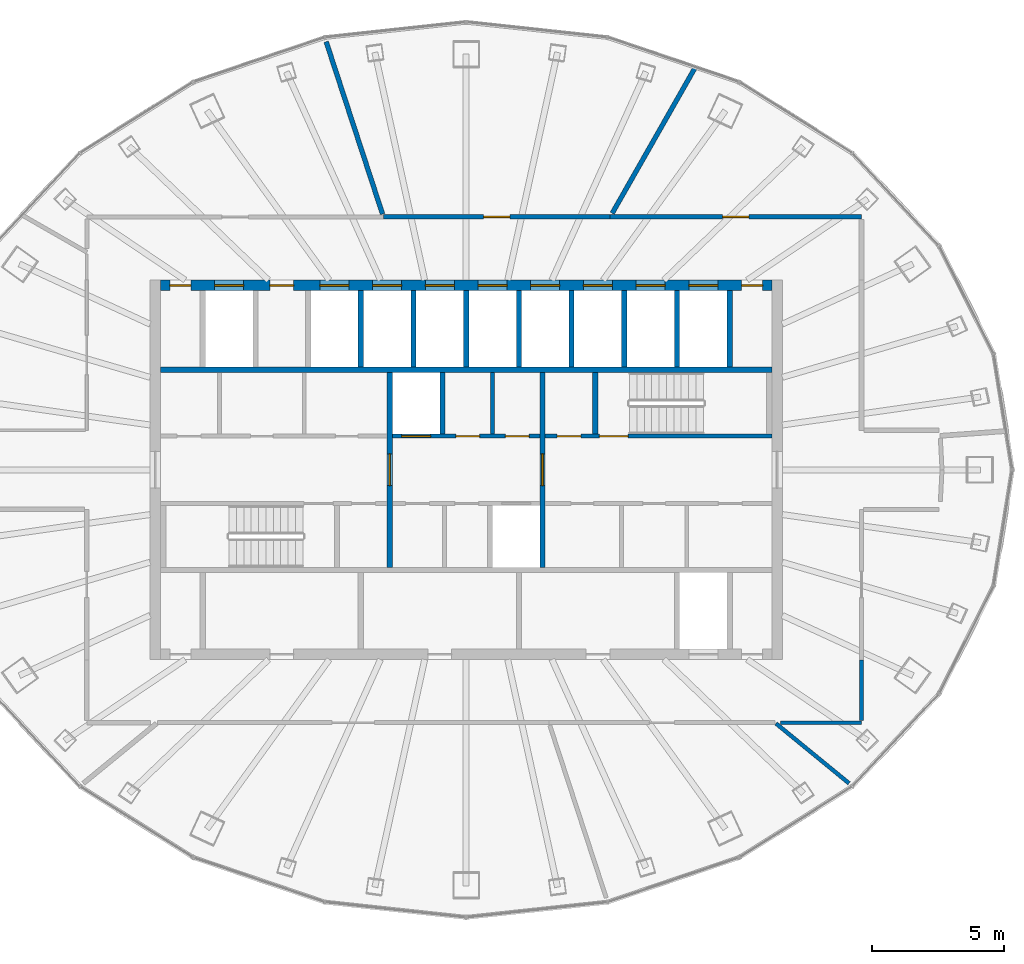
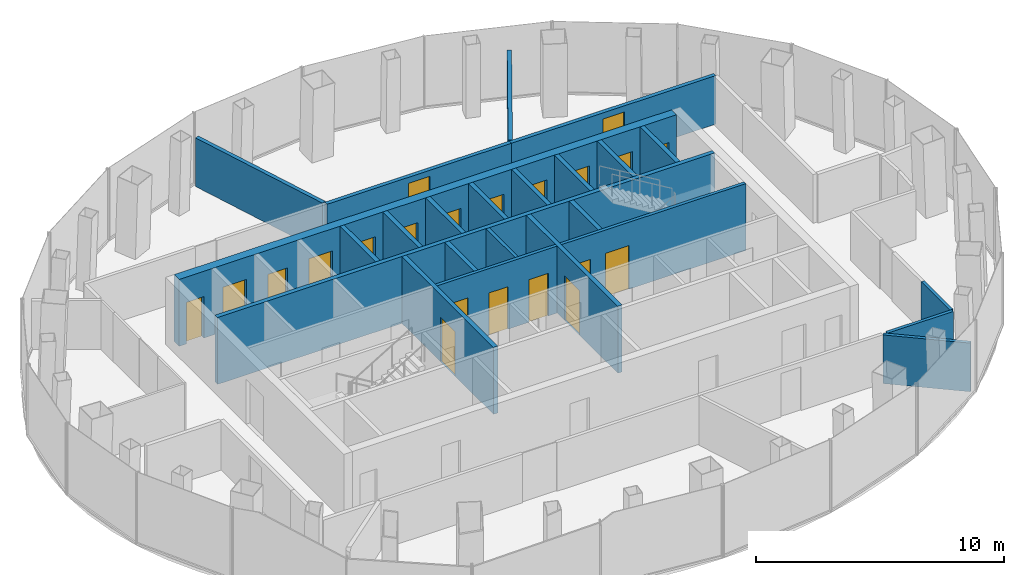
# One storey, part 9 of 11: 24 walls, 21 doors, 21 openings.
"""IFC4 building model written with IfcOpenShell, lengths in metres."""

from ifc_helpers import new_model, si_unit, direction, frame, frame_2d, origin, place, context, subcontext, project, spatial, rectangle, extrude, material, layer, layer_set, type_object, element, fill, save


model = new_model("IFC4")

# Units and contexts
model_context = context("Model", 3, precision=1e-05, world=origin(), true_north=direction((0.0, 1.0)))
body_context = subcontext(model_context, "Body", "Model", "MODEL_VIEW")
ifc_project = project(units=[si_unit("LENGTHUNIT", "METRE"), si_unit("AREAUNIT", "SQUARE_METRE"), si_unit("VOLUMEUNIT", "CUBIC_METRE"), si_unit("PLANEANGLEUNIT", "RADIAN"), si_unit("MASSUNIT", "GRAM", prefix="KILO")], contexts=[model_context])

# Site, building, storey
site_placement = place(None, origin())
site = spatial("IfcSite", under=ifc_project, at=site_placement, CompositionType="ELEMENT")
building_placement = place(site_placement, origin())
building = spatial("IfcBuilding", under=site, at=building_placement, Name="Siaravel Broadcast Tower", CompositionType="ELEMENT")
storey_placement = place(building_placement, frame((0.0, 0.0, 257.800048828125)))
storey = spatial("IfcBuildingStorey", under=building, at=storey_placement, Name="L63", CompositionType="ELEMENT", Elevation=257.800048828125)

# Wall
ifc_material_1 = material(Name="Concrete blockwork", Category="masonry")
ifc_layer_1 = layer(ifc_material_1, 0.14990234375)
ifc_layer_set_1 = layer_set([ifc_layer_1], Name="Concrete blockwork")
wall_type_1 = type_object("IfcWallType", Name="Core partition 150", PredefinedType="PARTITIONING", material=ifc_layer_set_1)
wall_1_placement = place(storey_placement, frame((1.0, 1.35009765625, 0.0), z_axis=(0.0, 0.0, 1.0), x_axis=(0.0, 1.0, 0.0)))
element("IfcWall", 1, at=wall_1_placement, inside=storey, type_object=wall_type_1, Name="L63 core partition PNM0", PredefinedType="PARTITIONING", context=body_context, shape_type="SweptSolid", body=[
    extrude(rectangle(XDim=2.349853515625, YDim=0.14990234375, at=frame_2d((1.1748046875, 0.0))), origin(), (0.0, 0.0, 1.0), 3.300048828125),
])

# Wall, openings, doors
ifc_material_2 = material(Name="Concrete C60/75", Category="concrete")
ifc_layer_2 = layer(ifc_material_2, 0.39990234375)
ifc_layer_set_2 = layer_set([ifc_layer_2], Name="Concrete C60/75")
wall_type_2 = type_object("IfcWallType", Name="Core wall 400", PredefinedType="SHEAR", material=ifc_layer_set_2)
wall_2_placement = place(storey_placement, frame((-11.60009765625, 7.0, 0.0), z_axis=(0.0, 0.0, 1.0), x_axis=(1.0, 0.0, 0.0)))
wall_2 = element("IfcWall", 2, at=wall_2_placement, inside=storey, type_object=wall_type_2, Name="L63 core wall ON", PredefinedType="SHEAR", context=body_context, shape_type="SweptSolid", body=[
    extrude(rectangle(XDim=23.2001953125, YDim=0.39990234375, at=frame_2d((11.60009765625, 0.0))), origin(), (0.0, 0.0, 1.0), 3.300048828125),
])
opening_1_placement = place(wall_2_placement, frame((2.050048828125, 0.0, 0.0)))
opening_1 = element("IfcOpeningElement", 3, at=opening_1_placement, cuts=wall_2, Name="Opening LD-SV2-L63", PredefinedType="OPENING", context=body_context, shape_type="SweptSolid", body=[
    extrude(rectangle(XDim=1.10009765625, YDim=2.199951171875, at=frame_2d((0.550048828125, 1.10009765625))), frame((0.0, 0.2099609375, 0.0), z_axis=(0.0, -1.0, 0.0), x_axis=(1.0, 0.0, 0.0)), (0.0, 0.0, 1.0), 0.419921875),
])
opening_2_placement = place(wall_2_placement, frame((6.050048828125, 0.0, 0.0)))
opening_2 = element("IfcOpeningElement", 4, at=opening_2_placement, cuts=wall_2, Name="Opening LD-HP1-L63", PredefinedType="OPENING", context=body_context, shape_type="SweptSolid", body=[
    extrude(rectangle(XDim=1.10009765625, YDim=2.199951171875, at=frame_2d((0.550048828125, 1.10009765625))), frame((0.0, 0.2099609375, 0.0), z_axis=(0.0, -1.0, 0.0), x_axis=(1.0, 0.0, 0.0)), (0.0, 0.0, 1.0), 0.419921875),
])
opening_3_placement = place(wall_2_placement, frame((8.050048828125, 0.0, 0.0)))
opening_3 = element("IfcOpeningElement", 5, at=opening_3_placement, cuts=wall_2, Name="Opening LD-HP2-L63", PredefinedType="OPENING", context=body_context, shape_type="SweptSolid", body=[
    extrude(rectangle(XDim=1.10009765625, YDim=2.199951171875, at=frame_2d((0.550048828125, 1.10009765625))), frame((0.0, 0.2099609375, 0.0), z_axis=(0.0, -1.0, 0.0), x_axis=(1.0, 0.0, 0.0)), (0.0, 0.0, 1.0), 0.419921875),
])
opening_4_placement = place(wall_2_placement, frame((10.050048828125, 0.0, 0.0)))
opening_4 = element("IfcOpeningElement", 6, at=opening_4_placement, cuts=wall_2, Name="Opening LD-HP3-L63", PredefinedType="OPENING", context=body_context, shape_type="SweptSolid", body=[
    extrude(rectangle(XDim=1.10009765625, YDim=2.199951171875, at=frame_2d((0.550048828125, 1.10009765625))), frame((0.0, 0.2099609375, 0.0), z_axis=(0.0, -1.0, 0.0), x_axis=(1.0, 0.0, 0.0)), (0.0, 0.0, 1.0), 0.419921875),
])
opening_5_placement = place(wall_2_placement, frame((12.050048828125, 0.0, 0.0)))
opening_5 = element("IfcOpeningElement", 7, at=opening_5_placement, cuts=wall_2, Name="Opening LD-HP4-L63", PredefinedType="OPENING", context=body_context, shape_type="SweptSolid", body=[
    extrude(rectangle(XDim=1.10009765625, YDim=2.199951171875, at=frame_2d((0.550048828125, 1.10009765625))), frame((0.0, 0.2099609375, 0.0), z_axis=(0.0, -1.0, 0.0), x_axis=(1.0, 0.0, 0.0)), (0.0, 0.0, 1.0), 0.419921875),
])
opening_6_placement = place(wall_2_placement, frame((14.050048828125, 0.0, 0.0)))
opening_6 = element("IfcOpeningElement", 8, at=opening_6_placement, cuts=wall_2, Name="Opening LD-HP5-L63", PredefinedType="OPENING", context=body_context, shape_type="SweptSolid", body=[
    extrude(rectangle(XDim=1.10009765625, YDim=2.199951171875, at=frame_2d((0.550048828125, 1.10009765625))), frame((0.0, 0.2099609375, 0.0), z_axis=(0.0, -1.0, 0.0), x_axis=(1.0, 0.0, 0.0)), (0.0, 0.0, 1.0), 0.419921875),
])
opening_7_placement = place(wall_2_placement, frame((16.050048828125, 0.0, 0.0)))
opening_7 = element("IfcOpeningElement", 9, at=opening_7_placement, cuts=wall_2, Name="Opening LD-HP6-L63", PredefinedType="OPENING", context=body_context, shape_type="SweptSolid", body=[
    extrude(rectangle(XDim=1.10009765625, YDim=2.199951171875, at=frame_2d((0.550048828125, 1.10009765625))), frame((0.0, 0.2099609375, 0.0), z_axis=(0.0, -1.0, 0.0), x_axis=(1.0, 0.0, 0.0)), (0.0, 0.0, 1.0), 0.419921875),
])
opening_8_placement = place(wall_2_placement, frame((18.050048828125, 0.0, 0.0)))
opening_8 = element("IfcOpeningElement", 10, at=opening_8_placement, cuts=wall_2, Name="Opening LD-HP7-L63", PredefinedType="OPENING", context=body_context, shape_type="SweptSolid", body=[
    extrude(rectangle(XDim=1.10009765625, YDim=2.199951171875, at=frame_2d((0.550048828125, 1.10009765625))), frame((0.0, 0.2099609375, 0.0), z_axis=(0.0, -1.0, 0.0), x_axis=(1.0, 0.0, 0.0)), (0.0, 0.0, 1.0), 0.419921875),
])
opening_9_placement = place(wall_2_placement, frame((20.050048828125, 0.0, 0.0)))
opening_9 = element("IfcOpeningElement", 11, at=opening_9_placement, cuts=wall_2, Name="Opening LD-HP8-L63", PredefinedType="OPENING", context=body_context, shape_type="SweptSolid", body=[
    extrude(rectangle(XDim=1.10009765625, YDim=2.199951171875, at=frame_2d((0.550048828125, 1.10009765625))), frame((0.0, 0.2099609375, 0.0), z_axis=(0.0, -1.0, 0.0), x_axis=(1.0, 0.0, 0.0)), (0.0, 0.0, 1.0), 0.419921875),
])
opening_10_placement = place(wall_2_placement, frame((4.14990234375, 0.0, 0.0)))
opening_10 = element("IfcOpeningElement", 12, at=opening_10_placement, cuts=wall_2, Name="Opening L63-DFN1", PredefinedType="OPENING", context=body_context, shape_type="SweptSolid", body=[
    extrude(rectangle(XDim=0.89990234375, YDim=2.10009765625, at=frame_2d((0.449951171875, 1.050048828125))), frame((0.0, 0.2099609375, 0.0), z_axis=(0.0, -1.0, 0.0), x_axis=(1.0, 0.0, 0.0)), (0.0, 0.0, 1.0), 0.419921875),
])
opening_11_placement = place(wall_2_placement, frame((0.35009765625, 0.0, 0.0)))
opening_11 = element("IfcOpeningElement", 13, at=opening_11_placement, cuts=wall_2, Name="Opening L63-DRNW", PredefinedType="OPENING", context=body_context, shape_type="SweptSolid", body=[
    extrude(rectangle(XDim=0.800048828125, YDim=2.050048828125, at=frame_2d((0.39990234375, 1.02490234375))), frame((0.0, 0.2099609375, 0.0), z_axis=(0.0, -1.0, 0.0), x_axis=(1.0, 0.0, 0.0)), (0.0, 0.0, 1.0), 0.419921875),
])
opening_12_placement = place(wall_2_placement, frame((22.050048828125, 0.0, 0.0)))
opening_12 = element("IfcOpeningElement", 14, at=opening_12_placement, cuts=wall_2, Name="Opening L63-DRNE", PredefinedType="OPENING", context=body_context, shape_type="SweptSolid", body=[
    extrude(rectangle(XDim=0.800048828125, YDim=2.050048828125, at=frame_2d((0.39990234375, 1.02490234375))), frame((0.0, 0.2099609375, 0.0), z_axis=(0.0, -1.0, 0.0), x_axis=(1.0, 0.0, 0.0)), (0.0, 0.0, 1.0), 0.419921875),
])
ifc_material_3 = material(Name="Timber veneer", Category="wood")
door_type_1 = type_object("IfcDoorType", Name="Core room door 900", OperationType="SINGLE_SWING_LEFT", PredefinedType="DOOR", material=ifc_material_3)
door_1_placement = place(opening_10_placement, origin())
door_1 = element("IfcDoor", 15, at=door_1_placement, inside=storey, type_object=door_type_1, Name="L63 door DFN1", OperationType="SINGLE_SWING_LEFT", OverallHeight=2.10009765625, OverallWidth=0.89990234375, PredefinedType="DOOR", context=body_context, shape_type="SweptSolid", body=[
    extrude(rectangle(XDim=0.89990234375, YDim=2.10009765625, at=frame_2d((0.449951171875, 1.050048828125))), frame((0.0, 0.02490234375, 0.0), z_axis=(0.0, -1.0, 0.0), x_axis=(1.0, 0.0, 0.0)), (0.0, 0.0, 1.0), 0.050048828125),
])
fill(opening_10, door_1)
ifc_material_4 = material(Name="Stainless steel 316L", Category="steel")
door_type_2 = type_object("IfcDoorType", Name="Lift landing door 1100", OperationType="DOUBLE_DOOR_SLIDING", PredefinedType="DOOR", material=ifc_material_4)
door_2_placement = place(opening_2_placement, origin())
door_2 = element("IfcDoor", 16, at=door_2_placement, inside=storey, type_object=door_type_2, Name="Landing door HP1 L63", OperationType="DOUBLE_DOOR_SLIDING", OverallHeight=2.199951171875, OverallWidth=1.10009765625, PredefinedType="DOOR", context=body_context, shape_type="SweptSolid", body=[
    extrude(rectangle(XDim=1.10009765625, YDim=2.199951171875, at=frame_2d((0.550048828125, 1.10009765625))), frame((0.0, 0.02490234375, 0.0), z_axis=(0.0, -1.0, 0.0), x_axis=(1.0, 0.0, 0.0)), (0.0, 0.0, 1.0), 0.050048828125),
])
fill(opening_2, door_2)
door_3_placement = place(opening_3_placement, origin())
door_3 = element("IfcDoor", 17, at=door_3_placement, inside=storey, type_object=door_type_2, Name="Landing door HP2 L63", OperationType="DOUBLE_DOOR_SLIDING", OverallHeight=2.199951171875, OverallWidth=1.10009765625, PredefinedType="DOOR", context=body_context, shape_type="SweptSolid", body=[
    extrude(rectangle(XDim=1.10009765625, YDim=2.199951171875, at=frame_2d((0.550048828125, 1.10009765625))), frame((0.0, 0.02490234375, 0.0), z_axis=(0.0, -1.0, 0.0), x_axis=(1.0, 0.0, 0.0)), (0.0, 0.0, 1.0), 0.050048828125),
])
fill(opening_3, door_3)
door_4_placement = place(opening_4_placement, origin())
door_4 = element("IfcDoor", 18, at=door_4_placement, inside=storey, type_object=door_type_2, Name="Landing door HP3 L63", OperationType="DOUBLE_DOOR_SLIDING", OverallHeight=2.199951171875, OverallWidth=1.10009765625, PredefinedType="DOOR", context=body_context, shape_type="SweptSolid", body=[
    extrude(rectangle(XDim=1.10009765625, YDim=2.199951171875, at=frame_2d((0.550048828125, 1.10009765625))), frame((0.0, 0.02490234375, 0.0), z_axis=(0.0, -1.0, 0.0), x_axis=(1.0, 0.0, 0.0)), (0.0, 0.0, 1.0), 0.050048828125),
])
fill(opening_4, door_4)
door_5_placement = place(opening_5_placement, origin())
door_5 = element("IfcDoor", 19, at=door_5_placement, inside=storey, type_object=door_type_2, Name="Landing door HP4 L63", OperationType="DOUBLE_DOOR_SLIDING", OverallHeight=2.199951171875, OverallWidth=1.10009765625, PredefinedType="DOOR", context=body_context, shape_type="SweptSolid", body=[
    extrude(rectangle(XDim=1.10009765625, YDim=2.199951171875, at=frame_2d((0.550048828125, 1.10009765625))), frame((0.0, 0.02490234375, 0.0), z_axis=(0.0, -1.0, 0.0), x_axis=(1.0, 0.0, 0.0)), (0.0, 0.0, 1.0), 0.050048828125),
])
fill(opening_5, door_5)
door_6_placement = place(opening_6_placement, origin())
door_6 = element("IfcDoor", 20, at=door_6_placement, inside=storey, type_object=door_type_2, Name="Landing door HP5 L63", OperationType="DOUBLE_DOOR_SLIDING", OverallHeight=2.199951171875, OverallWidth=1.10009765625, PredefinedType="DOOR", context=body_context, shape_type="SweptSolid", body=[
    extrude(rectangle(XDim=1.10009765625, YDim=2.199951171875, at=frame_2d((0.550048828125, 1.10009765625))), frame((0.0, 0.02490234375, 0.0), z_axis=(0.0, -1.0, 0.0), x_axis=(1.0, 0.0, 0.0)), (0.0, 0.0, 1.0), 0.050048828125),
])
fill(opening_6, door_6)
door_7_placement = place(opening_7_placement, origin())
door_7 = element("IfcDoor", 21, at=door_7_placement, inside=storey, type_object=door_type_2, Name="Landing door HP6 L63", OperationType="DOUBLE_DOOR_SLIDING", OverallHeight=2.199951171875, OverallWidth=1.10009765625, PredefinedType="DOOR", context=body_context, shape_type="SweptSolid", body=[
    extrude(rectangle(XDim=1.10009765625, YDim=2.199951171875, at=frame_2d((0.550048828125, 1.10009765625))), frame((0.0, 0.02490234375, 0.0), z_axis=(0.0, -1.0, 0.0), x_axis=(1.0, 0.0, 0.0)), (0.0, 0.0, 1.0), 0.050048828125),
])
fill(opening_7, door_7)
door_8_placement = place(opening_8_placement, origin())
door_8 = element("IfcDoor", 22, at=door_8_placement, inside=storey, type_object=door_type_2, Name="Landing door HP7 L63", OperationType="DOUBLE_DOOR_SLIDING", OverallHeight=2.199951171875, OverallWidth=1.10009765625, PredefinedType="DOOR", context=body_context, shape_type="SweptSolid", body=[
    extrude(rectangle(XDim=1.10009765625, YDim=2.199951171875, at=frame_2d((0.550048828125, 1.10009765625))), frame((0.0, 0.02490234375, 0.0), z_axis=(0.0, -1.0, 0.0), x_axis=(1.0, 0.0, 0.0)), (0.0, 0.0, 1.0), 0.050048828125),
])
fill(opening_8, door_8)
door_9_placement = place(opening_9_placement, origin())
door_9 = element("IfcDoor", 23, at=door_9_placement, inside=storey, type_object=door_type_2, Name="Landing door HP8 L63", OperationType="DOUBLE_DOOR_SLIDING", OverallHeight=2.199951171875, OverallWidth=1.10009765625, PredefinedType="DOOR", context=body_context, shape_type="SweptSolid", body=[
    extrude(rectangle(XDim=1.10009765625, YDim=2.199951171875, at=frame_2d((0.550048828125, 1.10009765625))), frame((0.0, 0.02490234375, 0.0), z_axis=(0.0, -1.0, 0.0), x_axis=(1.0, 0.0, 0.0)), (0.0, 0.0, 1.0), 0.050048828125),
])
fill(opening_9, door_9)
ifc_material_5 = material(Name="Steel", Category="steel")
door_type_3 = type_object("IfcDoorType", Name="Riser door 800", OperationType="SINGLE_SWING_LEFT", PredefinedType="DOOR", material=ifc_material_5)
door_10_placement = place(opening_11_placement, origin())
door_10 = element("IfcDoor", 24, at=door_10_placement, inside=storey, type_object=door_type_3, Name="L63 door DRNW", OperationType="SINGLE_SWING_LEFT", OverallHeight=2.050048828125, OverallWidth=0.800048828125, PredefinedType="DOOR", context=body_context, shape_type="SweptSolid", body=[
    extrude(rectangle(XDim=0.800048828125, YDim=2.050048828125, at=frame_2d((0.39990234375, 1.02490234375))), frame((0.0, 0.02490234375, 0.0), z_axis=(0.0, -1.0, 0.0), x_axis=(1.0, 0.0, 0.0)), (0.0, 0.0, 1.0), 0.050048828125),
])
fill(opening_11, door_10)
door_11_placement = place(opening_12_placement, origin())
door_11 = element("IfcDoor", 25, at=door_11_placement, inside=storey, type_object=door_type_3, Name="L63 door DRNE", OperationType="SINGLE_SWING_LEFT", OverallHeight=2.050048828125, OverallWidth=0.800048828125, PredefinedType="DOOR", context=body_context, shape_type="SweptSolid", body=[
    extrude(rectangle(XDim=0.800048828125, YDim=2.050048828125, at=frame_2d((0.39990234375, 1.02490234375))), frame((0.0, 0.02490234375, 0.0), z_axis=(0.0, -1.0, 0.0), x_axis=(1.0, 0.0, 0.0)), (0.0, 0.0, 1.0), 0.050048828125),
])
fill(opening_12, door_11)
door_type_4 = type_object("IfcDoorType", Name="Service lift landing door 1100", OperationType="DOUBLE_DOOR_SLIDING", PredefinedType="DOOR", material=ifc_material_4)
door_12_placement = place(opening_1_placement, origin())
door_12 = element("IfcDoor", 26, at=door_12_placement, inside=storey, type_object=door_type_4, Name="Landing door SV2 L63", OperationType="DOUBLE_DOOR_SLIDING", OverallHeight=2.199951171875, OverallWidth=1.10009765625, PredefinedType="DOOR", context=body_context, shape_type="SweptSolid", body=[
    extrude(rectangle(XDim=1.10009765625, YDim=2.199951171875, at=frame_2d((0.550048828125, 1.10009765625))), frame((0.0, 0.02490234375, 0.0), z_axis=(0.0, -1.0, 0.0), x_axis=(1.0, 0.0, 0.0)), (0.0, 0.0, 1.0), 0.050048828125),
])
fill(opening_1, door_12)

# Walls
ifc_material_6 = material(Name="Gypsum board partition", Category="gypsum")
ifc_layer_3 = layer(ifc_material_6, 0.14990234375)
ifc_layer_set_3 = layer_set([ifc_layer_3], Name="Gypsum board partition")
wall_type_3 = type_object("IfcWallType", Name="Corridor wall 150", PredefinedType="PARTITIONING", material=ifc_layer_set_3)
wall_3_placement = place(storey_placement, frame((11.9375, -9.60205078125, 0.0), z_axis=(0.0, 0.0, 1.0), x_axis=(1.0, 0.0, 0.0)))
element("IfcWall", 27, at=wall_3_placement, inside=storey, type_object=wall_type_3, Name="L63 partition 17", PredefinedType="PARTITIONING", context=body_context, shape_type="SweptSolid", body=[
    extrude(rectangle(XDim=3.064453125, YDim=0.14990234375, at=frame_2d((1.5322265625, 0.0))), origin(), (0.0, 0.0, 1.0), 2.39990234375),
])
wall_4_placement = place(storey_placement, frame((15.001953125, -9.52490234375, 0.0), z_axis=(0.0, 0.0, 1.0), x_axis=(0.0, 1.0, 0.0)))
element("IfcWall", 28, at=wall_4_placement, inside=storey, type_object=wall_type_3, Name="L63 partition 23", PredefinedType="PARTITIONING", context=body_context, shape_type="SweptSolid", body=[
    extrude(rectangle(XDim=2.31201171875, YDim=0.14990234375, at=frame_2d((1.156005859375, 0.0))), origin(), (0.0, 0.0, 1.0), 2.39990234375),
])
ifc_layer_4 = layer(ifc_material_6, 0.14990234375)
ifc_layer_set_4 = layer_set([ifc_layer_4], Name="Gypsum board partition")
wall_type_4 = type_object("IfcWallType", Name="Room partition 150", PredefinedType="PARTITIONING", material=ifc_layer_set_4)
wall_5_placement = place(storey_placement, frame((14.531494140625, -11.900390625, 0.0), z_axis=(0.0, 0.0, 1.0), x_axis=(-0.773611109, 0.633660676, 0.0)))
element("IfcWall", 29, at=wall_5_placement, inside=storey, type_object=wall_type_4, Name="L63 partition 14", PredefinedType="PARTITIONING", context=body_context, shape_type="SweptSolid", body=[
    extrude(rectangle(XDim=3.583251953125, YDim=0.14990234375, at=frame_2d((1.79150390625, 0.0))), origin(), (0.0, 0.0, 1.0), 2.39990234375),
])

# Wall, opening, door
ifc_layer_5 = layer(ifc_material_1, 0.179931640625)
ifc_layer_set_5 = layer_set([ifc_layer_5], Name="Concrete blockwork")
wall_type_5 = type_object("IfcWallType", Name="Service room fire partition 180", PredefinedType="PARTITIONING", material=ifc_layer_set_5)
wall_6_placement = place(storey_placement, frame((15.0, 9.60009765625, 0.0), z_axis=(0.0, 0.0, 1.0), x_axis=(-1.0, 0.0, 0.0)))
wall_6 = element("IfcWall", 30, at=wall_6_placement, inside=storey, type_object=wall_type_5, Name="L63 partition 3", PredefinedType="PARTITIONING", context=body_context, shape_type="SweptSolid", body=[
    extrude(rectangle(XDim=9.534912109375, YDim=0.179931640625, at=frame_2d((4.767578125, 0.0))), origin(), (0.0, 0.0, 1.0), 2.39990234375),
])
opening_13_placement = place(wall_6_placement, frame((4.267333984375, 0.0, 0.0)))
opening_13 = element("IfcOpeningElement", 31, at=opening_13_placement, cuts=wall_6, Name="Opening L63-005", PredefinedType="OPENING", context=body_context, shape_type="SweptSolid", body=[
    extrude(rectangle(XDim=1.0, YDim=2.10009765625, at=frame_2d((0.5, 1.050048828125))), frame((0.0, 0.099853515625, 0.0), z_axis=(0.0, -1.0, 0.0), x_axis=(1.0, 0.0, 0.0)), (0.0, 0.0, 1.0), 0.199951171875),
])
door_type_5 = type_object("IfcDoorType", Name="Service room door 1000", OperationType="SINGLE_SWING_LEFT", PredefinedType="DOOR", material=ifc_material_5)
door_13_placement = place(opening_13_placement, origin())
door_13 = element("IfcDoor", 32, at=door_13_placement, inside=storey, type_object=door_type_5, Name="L63 door to Library", OperationType="SINGLE_SWING_LEFT", OverallHeight=2.10009765625, OverallWidth=1.0, PredefinedType="DOOR", context=body_context, shape_type="SweptSolid", body=[
    extrude(rectangle(XDim=1.0, YDim=2.10009765625, at=frame_2d((0.5, 1.050048828125))), frame((0.0, 0.02490234375, 0.0), z_axis=(0.0, -1.0, 0.0), x_axis=(1.0, 0.0, 0.0)), (0.0, 0.0, 1.0), 0.050048828125),
])
fill(opening_13, door_13)

wall_7_placement = place(storey_placement, frame((5.464111328125, 9.60009765625, 0.0), z_axis=(0.0, 0.0, 1.0), x_axis=(-1.0, 0.0, 0.0)))
wall_7 = element("IfcWall", 33, at=wall_7_placement, inside=storey, type_object=wall_type_5, Name="L63 partition 4", PredefinedType="PARTITIONING", context=body_context, shape_type="SweptSolid", body=[
    extrude(rectangle(XDim=8.6044921875, YDim=0.179931640625, at=frame_2d((4.30224609375, 0.0))), origin(), (0.0, 0.0, 1.0), 2.39990234375),
])
opening_14_placement = place(wall_7_placement, frame((3.80224609375, 0.0, 0.0)))
opening_14 = element("IfcOpeningElement", 34, at=opening_14_placement, cuts=wall_7, Name="Opening L63-006", PredefinedType="OPENING", context=body_context, shape_type="SweptSolid", body=[
    extrude(rectangle(XDim=1.0, YDim=2.10009765625, at=frame_2d((0.5, 1.050048828125))), frame((0.0, 0.099853515625, 0.0), z_axis=(0.0, -1.0, 0.0), x_axis=(1.0, 0.0, 0.0)), (0.0, 0.0, 1.0), 0.199951171875),
])
door_14_placement = place(opening_14_placement, origin())
door_14 = element("IfcDoor", 35, at=door_14_placement, inside=storey, type_object=door_type_5, Name="L63 door to Library", OperationType="SINGLE_SWING_RIGHT", OverallHeight=2.10009765625, OverallWidth=1.0, PredefinedType="DOOR", context=body_context, shape_type="SweptSolid", body=[
    extrude(rectangle(XDim=1.0, YDim=2.10009765625, at=frame_2d((0.5, 1.050048828125))), frame((0.0, 0.02490234375, 0.0), z_axis=(0.0, -1.0, 0.0), x_axis=(1.0, 0.0, 0.0)), (0.0, 0.0, 1.0), 0.050048828125),
])
fill(opening_14, door_14)

# Walls
wall_8_placement = place(storey_placement, frame((-5.315673828125, 16.25, 0.0), z_axis=(0.0, 0.0, 1.0), x_axis=(0.310883601, -0.950447993, 0.0)))
element("IfcWall", 36, at=wall_8_placement, inside=storey, type_object=wall_type_5, Name="L63 partition 6", PredefinedType="PARTITIONING", context=body_context, shape_type="SweptSolid", body=[
    extrude(rectangle(XDim=6.886474609375, YDim=0.179931640625, at=frame_2d((3.443359375, 0.0))), origin(), (0.0, 0.0, 1.0), 2.39990234375),
])
wall_9_placement = place(storey_placement, frame((8.680908203125, 15.24853515625, 0.0), z_axis=(0.0, 0.0, 1.0), x_axis=(-0.494753842, -0.869033161, 0.0)))
element("IfcWall", 37, at=wall_9_placement, inside=storey, type_object=wall_type_5, Name="L63 partition 8", PredefinedType="PARTITIONING", context=body_context, shape_type="SweptSolid", body=[
    extrude(rectangle(XDim=6.343017578125, YDim=0.179931640625, at=frame_2d((3.17138671875, 0.0))), origin(), (0.0, 0.0, 1.0), 2.39990234375),
])

# Wall, openings, doors
ifc_layer_6 = layer(ifc_material_2, 0.14990234375)
ifc_layer_set_6 = layer_set([ifc_layer_6], Name="Concrete C60/75")
wall_type_6 = type_object("IfcWallType", Name="Shaft wall 150", PredefinedType="SHEAR", material=ifc_layer_set_6)
wall_10_placement = place(storey_placement, frame((-2.800048828125, 1.27490234375, 0.0), z_axis=(0.0, 0.0, 1.0), x_axis=(1.0, 0.0, 0.0)))
wall_10 = element("IfcWall", 38, at=wall_10_placement, inside=storey, type_object=wall_type_6, Name="L63 core wall CNM", PredefinedType="SHEAR", context=body_context, shape_type="SweptSolid", body=[
    extrude(rectangle(XDim=5.60009765625, YDim=0.14990234375, at=frame_2d((2.800048828125, 0.0))), origin(), (0.0, 0.0, 1.0), 3.300048828125),
])
opening_15_placement = place(wall_10_placement, frame((0.35009765625, 0.0, 0.0)))
opening_15 = element("IfcOpeningElement", 39, at=opening_15_placement, cuts=wall_10, Name="Opening LD-FL1-L63", PredefinedType="OPENING", context=body_context, shape_type="SweptSolid", body=[
    extrude(rectangle(XDim=1.10009765625, YDim=2.199951171875, at=frame_2d((0.550048828125, 1.10009765625))), frame((0.0, 0.0849609375, 0.0), z_axis=(0.0, -1.0, 0.0), x_axis=(1.0, 0.0, 0.0)), (0.0, 0.0, 1.0), 0.169921875),
])
opening_16_placement = place(wall_10_placement, frame((2.41259765625, 0.0, 0.0)))
opening_16 = element("IfcOpeningElement", 40, at=opening_16_placement, cuts=wall_10, Name="Opening L63-DNM0", PredefinedType="OPENING", context=body_context, shape_type="SweptSolid", body=[
    extrude(rectangle(XDim=0.89990234375, YDim=2.10009765625, at=frame_2d((0.449951171875, 1.050048828125))), frame((0.0, 0.0849609375, 0.0), z_axis=(0.0, -1.0, 0.0), x_axis=(1.0, 0.0, 0.0)), (0.0, 0.0, 1.0), 0.169921875),
])
opening_17_placement = place(wall_10_placement, frame((4.28759765625, 0.0, 0.0)))
opening_17 = element("IfcOpeningElement", 41, at=opening_17_placement, cuts=wall_10, Name="Opening L63-DNM1", PredefinedType="OPENING", context=body_context, shape_type="SweptSolid", body=[
    extrude(rectangle(XDim=0.89990234375, YDim=2.10009765625, at=frame_2d((0.449951171875, 1.050048828125))), frame((0.0, 0.0849609375, 0.0), z_axis=(0.0, -1.0, 0.0), x_axis=(1.0, 0.0, 0.0)), (0.0, 0.0, 1.0), 0.169921875),
])
door_15_placement = place(opening_16_placement, origin())
door_15 = element("IfcDoor", 42, at=door_15_placement, inside=storey, type_object=door_type_1, Name="L63 door DNM0", OperationType="SINGLE_SWING_LEFT", OverallHeight=2.10009765625, OverallWidth=0.89990234375, PredefinedType="DOOR", context=body_context, shape_type="SweptSolid", body=[
    extrude(rectangle(XDim=0.89990234375, YDim=2.10009765625, at=frame_2d((0.449951171875, 1.050048828125))), frame((0.0, 0.02490234375, 0.0), z_axis=(0.0, -1.0, 0.0), x_axis=(1.0, 0.0, 0.0)), (0.0, 0.0, 1.0), 0.050048828125),
])
fill(opening_16, door_15)
door_16_placement = place(opening_17_placement, origin())
door_16 = element("IfcDoor", 43, at=door_16_placement, inside=storey, type_object=door_type_1, Name="L63 door DNM1", OperationType="SINGLE_SWING_LEFT", OverallHeight=2.10009765625, OverallWidth=0.89990234375, PredefinedType="DOOR", context=body_context, shape_type="SweptSolid", body=[
    extrude(rectangle(XDim=0.89990234375, YDim=2.10009765625, at=frame_2d((0.449951171875, 1.050048828125))), frame((0.0, 0.02490234375, 0.0), z_axis=(0.0, -1.0, 0.0), x_axis=(1.0, 0.0, 0.0)), (0.0, 0.0, 1.0), 0.050048828125),
])
fill(opening_17, door_16)
door_type_6 = type_object("IfcDoorType", Name="Firefighting lift landing door 1100", OperationType="DOUBLE_DOOR_SLIDING", PredefinedType="DOOR", material=ifc_material_4)
door_17_placement = place(opening_15_placement, origin())
door_17 = element("IfcDoor", 44, at=door_17_placement, inside=storey, type_object=door_type_6, Name="Landing door FL1 L63", OperationType="DOUBLE_DOOR_SLIDING", OverallHeight=2.199951171875, OverallWidth=1.10009765625, PredefinedType="DOOR", context=body_context, shape_type="SweptSolid", body=[
    extrude(rectangle(XDim=1.10009765625, YDim=2.199951171875, at=frame_2d((0.550048828125, 1.10009765625))), frame((0.0, 0.02490234375, 0.0), z_axis=(0.0, -1.0, 0.0), x_axis=(1.0, 0.0, 0.0)), (0.0, 0.0, 1.0), 0.050048828125),
])
fill(opening_15, door_17)

wall_11_placement = place(storey_placement, frame((3.0, 1.27490234375, 0.0), z_axis=(0.0, 0.0, 1.0), x_axis=(1.0, 0.0, 0.0)))
wall_11 = element("IfcWall", 45, at=wall_11_placement, inside=storey, type_object=wall_type_6, Name="L63 core wall CNE", PredefinedType="SHEAR", context=body_context, shape_type="SweptSolid", body=[
    extrude(rectangle(XDim=8.60009765625, YDim=0.14990234375, at=frame_2d((4.300048828125, 0.0))), origin(), (0.0, 0.0, 1.0), 3.300048828125),
])
opening_18_placement = place(wall_11_placement, frame((2.050048828125, 0.0, 0.0)))
opening_18 = element("IfcOpeningElement", 46, at=opening_18_placement, cuts=wall_11, Name="Opening L63-DS-2", PredefinedType="OPENING", context=body_context, shape_type="SweptSolid", body=[
    extrude(rectangle(XDim=1.10009765625, YDim=2.14990234375, at=frame_2d((0.550048828125, 1.074951171875))), frame((0.0, 0.0849609375, 0.0), z_axis=(0.0, -1.0, 0.0), x_axis=(1.0, 0.0, 0.0)), (0.0, 0.0, 1.0), 0.169921875),
])
opening_19_placement = place(wall_11_placement, frame((0.449951171875, 0.0, 0.0)))
opening_19 = element("IfcOpeningElement", 47, at=opening_19_placement, cuts=wall_11, Name="Opening L63-DNE0", PredefinedType="OPENING", context=body_context, shape_type="SweptSolid", body=[
    extrude(rectangle(XDim=0.89990234375, YDim=2.10009765625, at=frame_2d((0.449951171875, 1.050048828125))), frame((0.0, 0.0849609375, 0.0), z_axis=(0.0, -1.0, 0.0), x_axis=(1.0, 0.0, 0.0)), (0.0, 0.0, 1.0), 0.169921875),
])
door_18_placement = place(opening_19_placement, origin())
door_18 = element("IfcDoor", 48, at=door_18_placement, inside=storey, type_object=door_type_1, Name="L63 door DNE0", OperationType="SINGLE_SWING_LEFT", OverallHeight=2.10009765625, OverallWidth=0.89990234375, PredefinedType="DOOR", context=body_context, shape_type="SweptSolid", body=[
    extrude(rectangle(XDim=0.89990234375, YDim=2.10009765625, at=frame_2d((0.449951171875, 1.050048828125))), frame((0.0, 0.02490234375, 0.0), z_axis=(0.0, -1.0, 0.0), x_axis=(1.0, 0.0, 0.0)), (0.0, 0.0, 1.0), 0.050048828125),
])
fill(opening_19, door_18)
door_type_7 = type_object("IfcDoorType", Name="Stair door 1100", OperationType="SINGLE_SWING_LEFT", PredefinedType="DOOR", material=ifc_material_5)
door_19_placement = place(opening_18_placement, origin())
door_19 = element("IfcDoor", 49, at=door_19_placement, inside=storey, type_object=door_type_7, Name="L63 door DS-2", OperationType="SINGLE_SWING_LEFT", OverallHeight=2.14990234375, OverallWidth=1.10009765625, PredefinedType="DOOR", context=body_context, shape_type="SweptSolid", body=[
    extrude(rectangle(XDim=1.10009765625, YDim=2.14990234375, at=frame_2d((0.550048828125, 1.074951171875))), frame((0.0, 0.02490234375, 0.0), z_axis=(0.0, -1.0, 0.0), x_axis=(1.0, 0.0, 0.0)), (0.0, 0.0, 1.0), 0.050048828125),
])
fill(opening_18, door_19)

# Walls
ifc_layer_7 = layer(ifc_material_2, 0.199951171875)
ifc_layer_set_7 = layer_set([ifc_layer_7], Name="Concrete C60/75")
wall_type_7 = type_object("IfcWallType", Name="Shaft wall 200", PredefinedType="SHEAR", material=ifc_layer_set_7)
wall_12_placement = place(storey_placement, frame((-11.60009765625, 3.800048828125, 0.0), z_axis=(0.0, 0.0, 1.0), x_axis=(1.0, 0.0, 0.0)))
element("IfcWall", 50, at=wall_12_placement, inside=storey, type_object=wall_type_7, Name="L63 core wall BN", PredefinedType="SHEAR", context=body_context, shape_type="SweptSolid", body=[
    extrude(rectangle(XDim=23.2001953125, YDim=0.199951171875, at=frame_2d((11.60009765625, 0.0))), origin(), (0.0, 0.0, 1.0), 3.300048828125),
])
for number, where, z_axis, x_axis, name in (
    (51, (-4.0, 3.89990234375, 0.0), (0.0, 0.0, 1.0), (0.0, 1.0, 0.0), "L63 core wall SWN3"),
    (52, (-2.0, 3.89990234375, 0.0), (0.0, 0.0, 1.0), (0.0, 1.0, 0.0), "L63 core wall SWN4"),
    (53, (0.0, 3.89990234375, 0.0), (0.0, 0.0, 1.0), (0.0, 1.0, 0.0), "L63 core wall SWN5"),
    (54, (2.0, 3.89990234375, 0.0), (0.0, 0.0, 1.0), (0.0, 1.0, 0.0), "L63 core wall SWN6"),
    (55, (4.0, 3.89990234375, 0.0), (0.0, 0.0, 1.0), (0.0, 1.0, 0.0), "L63 core wall SWN7"),
    (56, (6.0, 3.89990234375, 0.0), (0.0, 0.0, 1.0), (0.0, 1.0, 0.0), "L63 core wall SWN8"),
    (57, (8.0, 3.89990234375, 0.0), (0.0, 0.0, 1.0), (0.0, 1.0, 0.0), "L63 core wall SWN9"),
    (58, (10.0, 3.89990234375, 0.0), (0.0, 0.0, 1.0), (0.0, 1.0, 0.0), "L63 core wall SWN10"),
):
    element("IfcWall", number, at=place(storey_placement, frame(where, z_axis=z_axis, x_axis=x_axis)), inside=storey, type_object=wall_type_7, Name=name, PredefinedType="SHEAR", context=body_context, shape_type="SweptSolid", body=[
        extrude(rectangle(XDim=2.900146484375, YDim=0.199951171875, at=frame_2d((1.4501953125, 0.0))), origin(), (0.0, 0.0, 1.0), 3.300048828125),
    ])

# Wall, opening, door
wall_13_placement = place(storey_placement, frame((-2.89990234375, -3.699951171875, 0.0), z_axis=(0.0, 0.0, 1.0), x_axis=(0.0, 1.0, 0.0)))
wall_13 = element("IfcWall", 59, at=wall_13_placement, inside=storey, type_object=wall_type_7, Name="L63 core wall LW", PredefinedType="SHEAR", context=body_context, shape_type="SweptSolid", body=[
    extrude(rectangle(XDim=7.39990234375, YDim=0.199951171875, at=frame_2d((3.699951171875, 0.0))), origin(), (0.0, 0.0, 1.0), 3.300048828125),
])
opening_20_placement = place(wall_13_placement, frame((3.10009765625, 0.0, 0.0)))
opening_20 = element("IfcOpeningElement", 60, at=opening_20_placement, cuts=wall_13, Name="Opening L63-DL-W", PredefinedType="OPENING", context=body_context, shape_type="SweptSolid", body=[
    extrude(rectangle(XDim=1.199951171875, YDim=2.199951171875, at=frame_2d((0.60009765625, 1.10009765625))), frame((0.0, 0.10986328125, 0.0), z_axis=(0.0, -1.0, 0.0), x_axis=(1.0, 0.0, 0.0)), (0.0, 0.0, 1.0), 0.219970703125),
])
door_type_8 = type_object("IfcDoorType", Name="Firefighting lobby door 1200", OperationType="SINGLE_SWING_LEFT", PredefinedType="DOOR", material=ifc_material_5)
door_20_placement = place(opening_20_placement, origin())
door_20 = element("IfcDoor", 61, at=door_20_placement, inside=storey, type_object=door_type_8, Name="L63 door DL-W", OperationType="SINGLE_SWING_LEFT", OverallHeight=2.199951171875, OverallWidth=1.199951171875, PredefinedType="DOOR", context=body_context, shape_type="SweptSolid", body=[
    extrude(rectangle(XDim=1.199951171875, YDim=2.199951171875, at=frame_2d((0.60009765625, 1.10009765625))), frame((0.0, 0.02490234375, 0.0), z_axis=(0.0, -1.0, 0.0), x_axis=(1.0, 0.0, 0.0)), (0.0, 0.0, 1.0), 0.050048828125),
])
fill(opening_20, door_20)

wall_14_placement = place(storey_placement, frame((2.89990234375, -3.699951171875, 0.0), z_axis=(0.0, 0.0, 1.0), x_axis=(0.0, 1.0, 0.0)))
wall_14 = element("IfcWall", 62, at=wall_14_placement, inside=storey, type_object=wall_type_7, Name="L63 core wall LE", PredefinedType="SHEAR", context=body_context, shape_type="SweptSolid", body=[
    extrude(rectangle(XDim=7.39990234375, YDim=0.199951171875, at=frame_2d((3.699951171875, 0.0))), origin(), (0.0, 0.0, 1.0), 3.300048828125),
])
opening_21_placement = place(wall_14_placement, frame((3.10009765625, 0.0, 0.0)))
opening_21 = element("IfcOpeningElement", 63, at=opening_21_placement, cuts=wall_14, Name="Opening L63-DL-E", PredefinedType="OPENING", context=body_context, shape_type="SweptSolid", body=[
    extrude(rectangle(XDim=1.199951171875, YDim=2.199951171875, at=frame_2d((0.60009765625, 1.10009765625))), frame((0.0, 0.10986328125, 0.0), z_axis=(0.0, -1.0, 0.0), x_axis=(1.0, 0.0, 0.0)), (0.0, 0.0, 1.0), 0.219970703125),
])
door_21_placement = place(opening_21_placement, origin())
door_21 = element("IfcDoor", 64, at=door_21_placement, inside=storey, type_object=door_type_8, Name="L63 door DL-E", OperationType="SINGLE_SWING_LEFT", OverallHeight=2.199951171875, OverallWidth=1.199951171875, PredefinedType="DOOR", context=body_context, shape_type="SweptSolid", body=[
    extrude(rectangle(XDim=1.199951171875, YDim=2.199951171875, at=frame_2d((0.60009765625, 1.10009765625))), frame((0.0, 0.02490234375, 0.0), z_axis=(0.0, -1.0, 0.0), x_axis=(1.0, 0.0, 0.0)), (0.0, 0.0, 1.0), 0.050048828125),
])
fill(opening_21, door_21)

# Walls
for number, where, z_axis, x_axis, name in (
    (65, (-0.89990234375, 1.35009765625, 0.0), (0.0, 0.0, 1.0), (0.0, 1.0, 0.0), "L63 core wall FF1E"),
    (66, (4.89990234375, 1.35009765625, 0.0), (0.0, 0.0, 1.0), (0.0, 1.0, 0.0), "L63 core wall ST2W"),
):
    element("IfcWall", number, at=place(storey_placement, frame(where, z_axis=z_axis, x_axis=x_axis)), inside=storey, type_object=wall_type_7, Name=name, PredefinedType="SHEAR", context=body_context, shape_type="SweptSolid", body=[
        extrude(rectangle(XDim=2.349853515625, YDim=0.199951171875, at=frame_2d((1.1748046875, 0.0))), origin(), (0.0, 0.0, 1.0), 3.300048828125),
    ])

save(model, "model.ifc")
